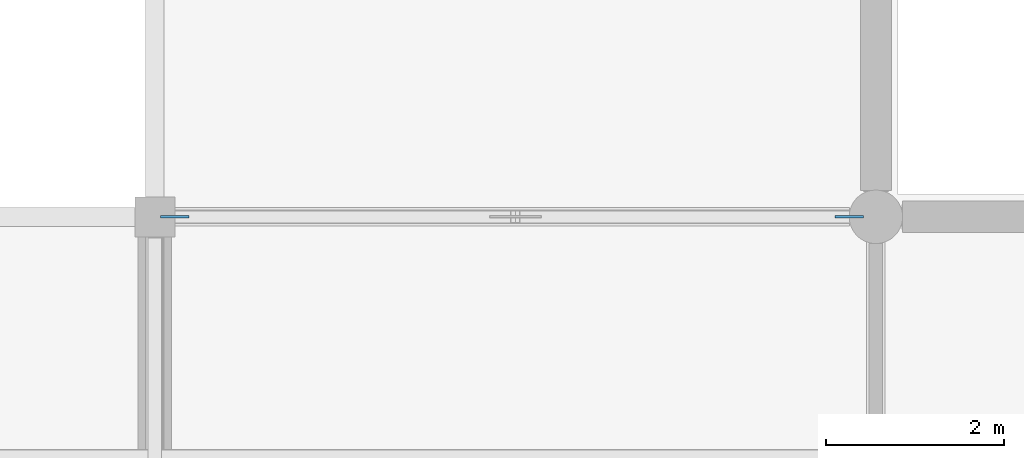
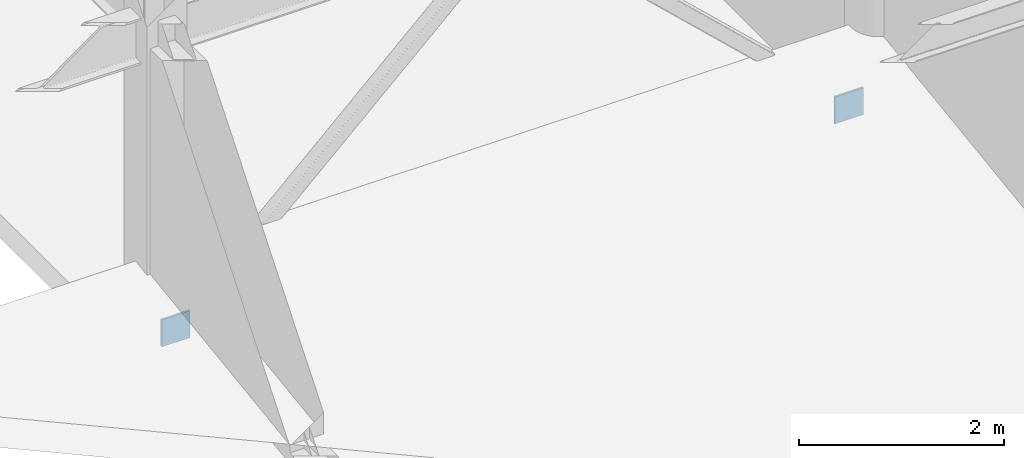
# One storey, part 78 of 93: 2 discrete accessories.
"""IFC4 building model written with IfcOpenShell, lengths in metres."""

from ifc_helpers import new_model, si_unit, direction, frame, origin, origin_2d, place, context, subcontext, project, spatial, rectangle, extrude, material, type_object, element, save


model = new_model("IFC4")

# Units and contexts
model_context = context("Model", 3, precision=1e-05, world=origin(), true_north=direction((0.0, 1.0)))
body_context = subcontext(model_context, "Body", "Model", "MODEL_VIEW")
ifc_project = project(units=[si_unit("LENGTHUNIT", "METRE"), si_unit("AREAUNIT", "SQUARE_METRE"), si_unit("VOLUMEUNIT", "CUBIC_METRE"), si_unit("PLANEANGLEUNIT", "RADIAN"), si_unit("MASSUNIT", "GRAM", prefix="KILO")], contexts=[model_context])

# Site, building, storey
site_placement = place(None, origin())
site = spatial("IfcSite", under=ifc_project, at=site_placement, CompositionType="ELEMENT")
building_placement = place(site_placement, origin())
building = spatial("IfcBuilding", under=site, at=building_placement, Name="Vaudrelin Polytechnic", CompositionType="ELEMENT")
storey_placement = place(building_placement, frame((0.0, 0.0, 5.10009765625)))
storey = spatial("IfcBuildingStorey", under=building, at=storey_placement, Name="L01", CompositionType="ELEMENT", Elevation=5.10009765625)

# Discrete accessories
ifc_material = material(Name="Steel CSA G40.21 350WT", Category="steel")
discrete_accessory_type = type_object("IfcDiscreteAccessoryType", Name="ACC-CPL-01", PredefinedType="BRACKET", material=ifc_material)
for number, where, z_axis, x_axis, name in (
    (1, (40.72509765625, 32.39990234375, 0.23974609375), (0.0, 0.0, 1.0), (1.0, 0.0, 0.0), "Brace end connection plate CPL-011"),
    (2, (48.300048828125, 32.39990234375, 0.23974609375), (0.0, 0.0, 1.0), (1.0, 0.0, 0.0), "Brace end connection plate CPL-012"),
):
    element("IfcDiscreteAccessory", number, at=place(storey_placement, frame(where, z_axis=z_axis, x_axis=x_axis)), inside=storey, type_object=discrete_accessory_type, Name=name, PredefinedType="BRACKET", context=body_context, shape_type="SweptSolid", body=[
        extrude(rectangle(XDim=0.320068359375, YDim=0.02392578125, at=origin_2d()), origin(), (0.0, 0.0, 1.0), 0.320068359375),
    ])

save(model, "model.ifc")
